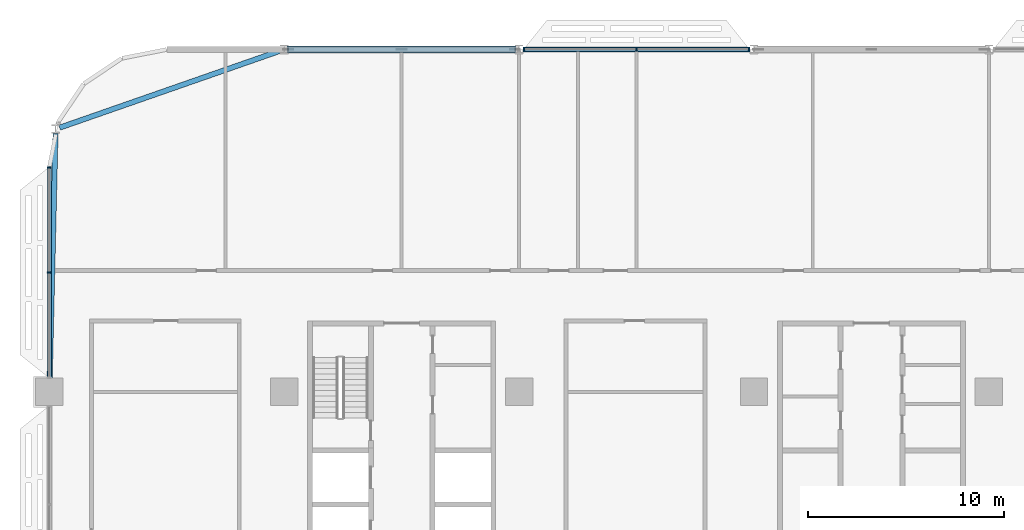
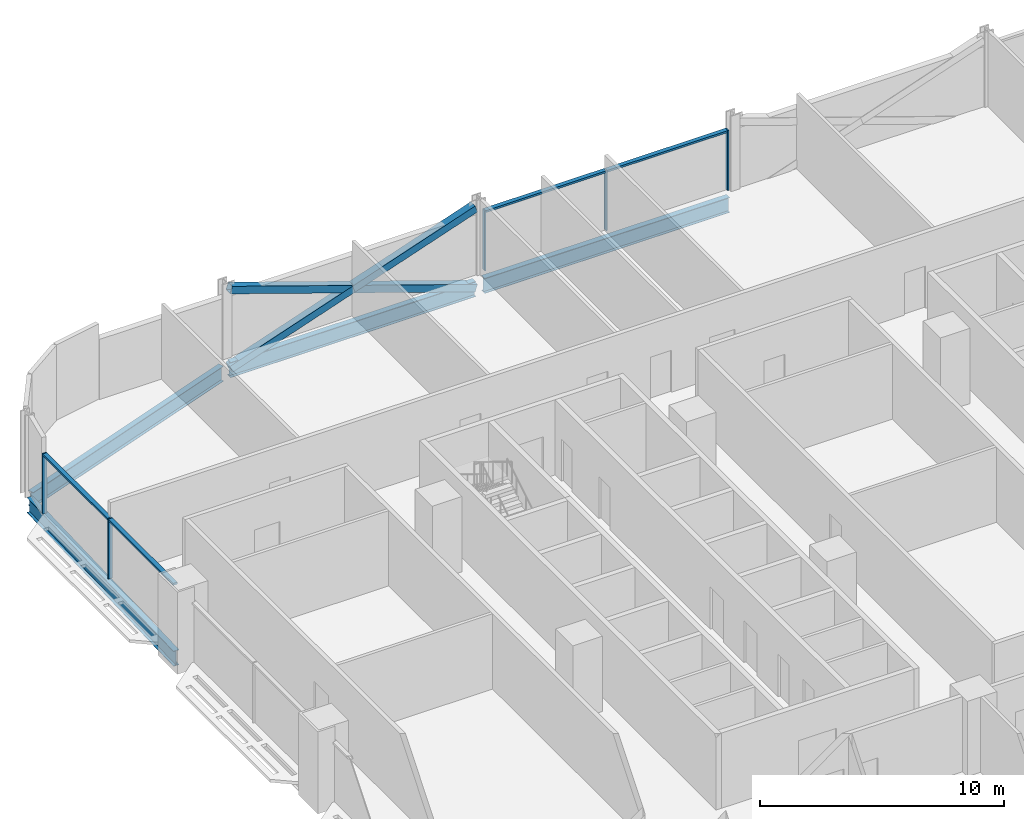
# One storey, part 6 of 29: 12 members, 4 beams, 2 elements without a shape of their own.
"""IFC4 building model written with IfcOpenShell, lengths in metres."""

from ifc_helpers import new_model, si_unit, direction, frame, origin, origin_2d, place, context, subcontext, project, spatial, rectangle, hollow_rectangle, i_section, extrude, material, material_profile, profile_set, type_object, element, aggregate, save


model = new_model("IFC4")

# Units and contexts
model_context = context("Model", 3, precision=1e-05, world=origin(), true_north=direction((0.0, 1.0)))
body_context = subcontext(model_context, "Body", "Model", "MODEL_VIEW")
ifc_project = project(units=[si_unit("LENGTHUNIT", "METRE"), si_unit("AREAUNIT", "SQUARE_METRE"), si_unit("VOLUMEUNIT", "CUBIC_METRE"), si_unit("PLANEANGLEUNIT", "RADIAN"), si_unit("MASSUNIT", "GRAM", prefix="KILO")], contexts=[model_context])

# Site, building, storey
site_placement = place(None, origin())
site = spatial("IfcSite", under=ifc_project, at=site_placement, CompositionType="ELEMENT")
building_placement = place(site_placement, origin())
building = spatial("IfcBuilding", under=site, at=building_placement, Name="Mahtab Terrace Research Tower", CompositionType="ELEMENT")
storey_placement = place(building_placement, frame((0.0, 0.0, 109.39990234375)))
storey = spatial("IfcBuildingStorey", under=building, at=storey_placement, Name="L25", CompositionType="ELEMENT", Elevation=109.39990234375)

# Members
ifc_material_1 = material(Name="Steel ASTM A500 Gr C", Category="steel")
ifc_material_profile_1 = material_profile(ifc_material_1, hollow_rectangle(XDim=0.355712890625, YDim=0.355712890625, WallThickness=0.01904296875, at=origin_2d()), Name="HSS14X14X3/4")
ifc_profile_set_1 = profile_set([ifc_material_profile_1], Name="Steel ASTM A500 Gr C")
member_type_1 = type_object("IfcMemberType", Name="HSS 14x14x3/4 brace XB141434", PredefinedType="BRACE", material=ifc_profile_set_1)
member_1_placement = place(storey_placement, frame((-18.20947265625, 29.0, -0.646728515625), z_axis=(-0.946292853795, 0.0, 0.323310740397), x_axis=(0.0, -1.0, 0.0)))
element("IfcMember", 1, at=member_1_placement, inside=storey, type_object=member_type_1, Name="Exoskeleton brace L25 07 a", PredefinedType="BRACE", context=body_context, shape_type="SweptSolid", body=[
    extrude(hollow_rectangle(XDim=0.355712890625, YDim=0.355712890625, WallThickness=0.01904296875, at=origin_2d()), origin(), (0.0, 0.0, 1.0), 12.23828125),
])
for number, where, z_axis, x_axis, name in (
    (2, (-29.79052734375, 29.0, -0.646728515625), (0.946298956945, 0.0, 0.323292876639), (0.0, 1.0, 0.0), "Exoskeleton brace L25 07 b1"),
    (3, (-24.0, 29.0, 1.33154296875), (0.946286750388, 0.0, 0.323328603809), (0.0, 1.0, 0.0), "Exoskeleton brace L25 07 b2"),
):
    element("IfcMember", number, at=place(storey_placement, frame(where, z_axis=z_axis, x_axis=x_axis)), inside=storey, type_object=member_type_1, Name=name, PredefinedType="BRACE", context=body_context, shape_type="SweptSolid", body=[
        extrude(hollow_rectangle(XDim=0.355712890625, YDim=0.355712890625, WallThickness=0.01904296875, at=origin_2d()), origin(), (0.0, 0.0, 1.0), 6.119140625),
    ])

# Curtain wall, members
ifc_material_2 = material(Name="Laboratory ribbon curtain wall")
curtain_wall_type = type_object("IfcCurtainWallType", Name="Laboratory ribbon curtain wall", PredefinedType="NOTDEFINED", material=ifc_material_2)
curtain_wall_1_placement = place(storey_placement, origin())
curtain_wall_1 = element("IfcCurtainWall", 4, at=curtain_wall_1_placement, inside=storey, type_object=curtain_wall_type, Name="EN.L25.3.8", PredefinedType="NOTDEFINED")
ifc_material_3 = material(Name="Natural anodised aluminium", Category="aluminium")
ifc_material_profile_2 = material_profile(ifc_material_3, rectangle(XDim=0.199951171875, YDim=0.06494140625, at=origin_2d()), Name="MULLION 65x200")
ifc_profile_set_2 = profile_set([ifc_material_profile_2], Name="Natural anodised aluminium")
member_type_2 = type_object("IfcMemberType", Name="Laboratory ribbon curtain wall mullion", PredefinedType="MULLION", material=ifc_profile_set_2)
member_2_placement = place(storey_placement, frame((-6.260498046875, 29.0, 0.0), z_axis=(0.0, 0.0, 1.0), x_axis=(0.0, -1.0, 0.0)))
member_2 = element("IfcMember", 5, at=member_2_placement, type_object=member_type_2, Name="CWL-3 mullion 1", PredefinedType="MULLION", context=body_context, shape_type="SweptSolid", body=[
    extrude(rectangle(XDim=0.199951171875, YDim=0.06494140625, at=origin_2d()), origin(), (0.0, 0.0, 1.0), 3.003173828125),
])
member_3_placement = place(storey_placement, frame((-12.0, 29.0, 0.0), z_axis=(0.0, 0.0, 1.0), x_axis=(0.0, -1.0, 0.0)))
member_3 = element("IfcMember", 6, at=member_3_placement, type_object=member_type_2, Name="CWL-3 mullion 2", PredefinedType="MULLION", context=body_context, shape_type="SweptSolid", body=[
    extrude(rectangle(XDim=0.199951171875, YDim=0.06494140625, at=origin_2d()), origin(), (0.0, 0.0, 1.0), 3.003173828125),
])
member_4_placement = place(storey_placement, frame((-17.739501953125, 29.0, 0.0), z_axis=(0.0, 0.0, 1.0), x_axis=(0.0, -1.0, 0.0)))
member_4 = element("IfcMember", 7, at=member_4_placement, type_object=member_type_2, Name="CWL-3 mullion 3", PredefinedType="MULLION", context=body_context, shape_type="SweptSolid", body=[
    extrude(rectangle(XDim=0.199951171875, YDim=0.06494140625, at=origin_2d()), origin(), (0.0, 0.0, 1.0), 3.003173828125),
])

curtain_wall_2_placement = place(storey_placement, origin())
curtain_wall_2 = element("IfcCurtainWall", 8, at=curtain_wall_2_placement, inside=storey, type_object=curtain_wall_type, Name="EN.L25.8.16", PredefinedType="NOTDEFINED")
member_5_placement = place(storey_placement, frame((-42.0, 22.967529296875, 0.0), z_axis=(0.0, 0.0, 1.0), x_axis=(1.0, 0.0, 0.0)))
member_5 = element("IfcMember", 9, at=member_5_placement, type_object=member_type_2, Name="CWL-3 mullion 1", PredefinedType="MULLION", context=body_context, shape_type="SweptSolid", body=[
    extrude(rectangle(XDim=0.199951171875, YDim=0.06494140625, at=origin_2d()), origin(), (0.0, 0.0, 1.0), 3.003173828125),
])
member_6_placement = place(storey_placement, frame((-42.0, 17.60009765625, 0.0), z_axis=(0.0, 0.0, 1.0), x_axis=(1.0, 0.0, 0.0)))
member_6 = element("IfcMember", 10, at=member_6_placement, type_object=member_type_2, Name="CWL-3 mullion 2", PredefinedType="MULLION", context=body_context, shape_type="SweptSolid", body=[
    extrude(rectangle(XDim=0.199951171875, YDim=0.06494140625, at=origin_2d()), origin(), (0.0, 0.0, 1.0), 3.003173828125),
])

# Member
ifc_material_profile_3 = material_profile(ifc_material_3, rectangle(XDim=0.199951171875, YDim=0.10009765625, at=origin_2d()), Name="TRANSOM 100x200")
ifc_profile_set_3 = profile_set([ifc_material_profile_3], Name="Natural anodised aluminium")
member_type_3 = type_object("IfcMemberType", Name="Laboratory ribbon curtain wall transom", PredefinedType="USERDEFINED", material=ifc_profile_set_3)
member_7_placement = place(storey_placement, frame((-6.29296875, 29.0, 2.953125), z_axis=(-1.0, 0.0, 0.0), x_axis=(0.0, -1.0, 0.0)))
member_7 = element("IfcMember", 11, at=member_7_placement, type_object=member_type_3, Name="CWL-3 transom 1", ObjectType="TRANSOM", PredefinedType="USERDEFINED", context=body_context, shape_type="SweptSolid", body=[
    extrude(rectangle(XDim=0.199951171875, YDim=0.10009765625, at=origin_2d()), origin(), (0.0, 0.0, 1.0), 5.674560546875),
])

member_8_placement = place(storey_placement, frame((-12.032470703125, 29.0, 2.953125), z_axis=(-1.0, 0.0, 0.0), x_axis=(0.0, -1.0, 0.0)))
member_8 = element("IfcMember", 12, at=member_8_placement, type_object=member_type_3, Name="CWL-3 transom 2", ObjectType="TRANSOM", PredefinedType="USERDEFINED", context=body_context, shape_type="SweptSolid", body=[
    extrude(rectangle(XDim=0.199951171875, YDim=0.10009765625, at=origin_2d()), origin(), (0.0, 0.0, 1.0), 5.674560546875),
])

aggregate(curtain_wall_1, [member_2, member_3, member_4, member_7, member_8])

member_9_placement = place(storey_placement, frame((-42.0, 22.93505859375, 2.953125), z_axis=(0.0, -1.0, 0.0), x_axis=(1.0, 0.0, 0.0)))
member_9 = element("IfcMember", 13, at=member_9_placement, type_object=member_type_3, Name="CWL-3 transom 1", ObjectType="TRANSOM", PredefinedType="USERDEFINED", context=body_context, shape_type="SweptSolid", body=[
    extrude(rectangle(XDim=0.199951171875, YDim=0.10009765625, at=origin_2d()), origin(), (0.0, 0.0, 1.0), 5.302490234375),
])

member_10_placement = place(storey_placement, frame((-42.0, 17.5673828125, 2.953125), z_axis=(0.0, -1.0, 0.0), x_axis=(1.0, 0.0, 0.0)))
member_10 = element("IfcMember", 14, at=member_10_placement, type_object=member_type_3, Name="CWL-3 transom 2", ObjectType="TRANSOM", PredefinedType="USERDEFINED", context=body_context, shape_type="SweptSolid", body=[
    extrude(rectangle(XDim=0.199951171875, YDim=0.10009765625, at=origin_2d()), origin(), (0.0, 0.0, 1.0), 5.302490234375),
])

aggregate(curtain_wall_2, [member_5, member_6, member_9, member_10])

# Beams
ifc_material_4 = material(Name="Steel ASTM A992 Gr 50", Category="steel")
ifc_material_profile_4 = material_profile(ifc_material_4, i_section(OverallWidth=0.2666015625, OverallDepth=0.7568359375, WebThickness=0.013916015625, FlangeThickness=0.019287109375, at=origin_2d()), Name="W30X108")
ifc_profile_set_4 = profile_set([ifc_material_profile_4], Name="Steel ASTM A992 Gr 50")
beam_type = type_object("IfcBeamType", Name="W30x108 beam BS30108", PredefinedType="BEAM", material=ifc_profile_set_4)
for number, where, z_axis, x_axis, name in (
    (15, (-6.20947265625, 29.0, -0.71826171875), (-1.0, 0.0, 0.0), (0.0, -1.0, 0.0), "Spandrel beam L25 06"),
    (16, (-18.20947265625, 29.0, -0.71826171875), (-1.0, 0.0, 0.0), (0.0, -1.0, 0.0), "Spandrel beam L25 07"),
):
    element("IfcBeam", number, at=place(storey_placement, frame(where, z_axis=z_axis, x_axis=x_axis)), inside=storey, type_object=beam_type, Name=name, PredefinedType="BEAM", context=body_context, shape_type="SweptSolid", body=[
        extrude(i_section(OverallWidth=0.2666015625, OverallDepth=0.7568359375, WebThickness=0.013916015625, FlangeThickness=0.019287109375, at=origin_2d()), origin(), (0.0, 0.0, 1.0), 11.5810546875),
    ])
beam_1_placement = place(storey_placement, frame((-30.20947265625, 28.927001953125, -0.71826171875), z_axis=(-0.944250501583, -0.32922786981, 0.0), x_axis=(0.32922786981, -0.944250501583, 0.0)))
element("IfcBeam", 17, at=beam_1_placement, inside=storey, type_object=beam_type, Name="Spandrel beam L25 08", PredefinedType="BEAM", context=body_context, shape_type="SweptSolid", body=[
    extrude(i_section(OverallWidth=0.2666015625, OverallDepth=0.7568359375, WebThickness=0.013916015625, FlangeThickness=0.019287109375, at=origin_2d()), origin(), (0.0, 0.0, 1.0), 11.927978515625),
])
beam_2_placement = place(storey_placement, frame((-41.6875, 24.69970703125, -0.71826171875), z_axis=(-0.02366570739, -0.999719927927, 0.0), x_axis=(0.999719927927, -0.02366570739, 0.0)))
element("IfcBeam", 18, at=beam_2_placement, inside=storey, type_object=beam_type, Name="Spandrel beam L25 09", PredefinedType="BEAM", context=body_context, shape_type="SweptSolid", body=[
    extrude(i_section(OverallWidth=0.2666015625, OverallDepth=0.7568359375, WebThickness=0.013916015625, FlangeThickness=0.019287109375, at=origin_2d()), origin(), (0.0, 0.0, 1.0), 12.503173828125),
])

save(model, "model.ifc")
